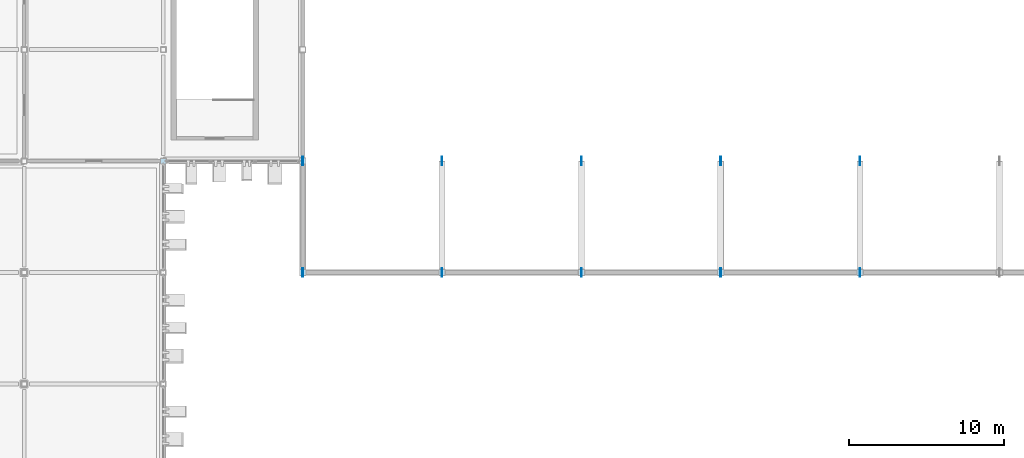
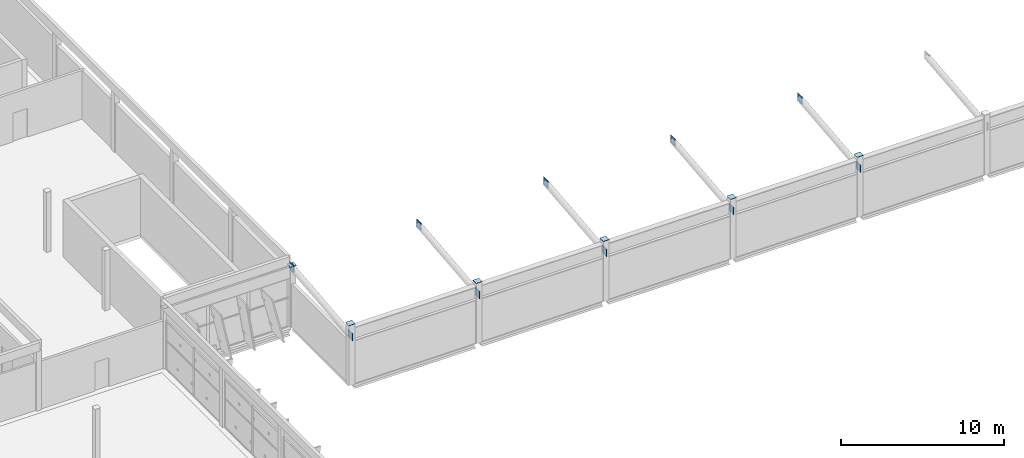
# One storey, part 93 of 124: 17 plates.
"""IFC4 building model written with IfcOpenShell, lengths in metres."""

import ifcopenshell
import ifcopenshell.guid

model = None  # the IFC model being written
_history = None  # IfcOwnerHistory: only IFC2X3 demands one
_inside = {}  # id of a spatial element -> (the spatial element, [elements in it])
_under = {}  # id of a project, library or spatial element -> (it, [spatial elements below it])
_declared = {}  # id of a project -> (the project, [libraries it declares])
_typed = {}  # id of a type object -> (the type object, [elements of that type])
_made_of = {}  # id of a material, layer set ... -> (it, [elements and type objects made of it])


def new_model(schema):
    """Start an empty IFC model of exactly this schema.

    Asked for "IFC4X3", IfcOpenShell would pick the latest addendum, in which some entities
    have other attributes; the version numbers below select the first issue.
    IFC2X3 requires an IfcOwnerHistory on every rooted entity: one is made here for all.
    """
    global model, _history
    if schema == "IFC4X3":
        model = ifcopenshell.file(schema_version=(4, 3, 0, 0))
    else:
        model = ifcopenshell.file(schema=schema)
    _inside.clear()
    _under.clear()
    _declared.clear()
    _typed.clear()
    _made_of.clear()
    _history = None
    if model.schema == "IFC2X3":
        org = make("IfcOrganization", Name="unknown")
        user = make(
            "IfcPersonAndOrganization",
            ThePerson=make("IfcPerson", FamilyName="unknown"),
            TheOrganization=org,
        )
        app = make(
            "IfcApplication",
            ApplicationDeveloper=org,
            Version="unknown",
            ApplicationFullName="unknown",
            ApplicationIdentifier="unknown",
        )
        _history = make(
            "IfcOwnerHistory",
            OwningUser=user,
            OwningApplication=app,
            ChangeAction="ADDED",
            CreationDate=0,
        )
    return model


def make(cls, **values):
    """One entity of the class cls with the attributes given. An attribute that is None is left unset."""
    return model.create_entity(
        cls, **{name: value for name, value in values.items() if value is not None}
    )


def rooted(cls, **values):
    """An entity with a GlobalId (a new one), such as an element, a storey or a relation."""
    return make(cls, GlobalId=ifcopenshell.guid.new(), OwnerHistory=_history, **values)


def si_unit(unit_type, name, prefix=None):
    """IfcSIUnit, for example si_unit("LENGTHUNIT", "METRE", prefix="MILLI")."""
    return make("IfcSIUnit", UnitType=unit_type, Prefix=prefix, Name=name)


def assignment(units):
    """IfcUnitAssignment: the units of a project."""
    return None if units is None else make("IfcUnitAssignment", Units=units)


def point(xyz):
    """IfcCartesianPoint."""
    return None if xyz is None else make("IfcCartesianPoint", Coordinates=xyz)


def direction(xyz):
    """IfcDirection."""
    return None if xyz is None else make("IfcDirection", DirectionRatios=xyz)


def frame(location, z_axis=None, x_axis=None):
    """IfcAxis2Placement3D, a coordinate frame: its origin and axes. An axis left out is left unset."""
    return make(
        "IfcAxis2Placement3D",
        Location=point(location),
        Axis=direction(z_axis),
        RefDirection=direction(x_axis),
    )


def frame_2d(location, x_axis=None):
    """IfcAxis2Placement2D, a coordinate frame in the plane: its origin and x axis."""
    return make(
        "IfcAxis2Placement2D", Location=point(location), RefDirection=direction(x_axis)
    )


def origin():
    """The frame at (0, 0, 0) with its axes left unset."""
    return frame((0.0, 0.0, 0.0))


def origin_2d():
    """The frame at (0, 0) in the plane with its x axis left unset."""
    return frame_2d((0.0, 0.0))


def place(relative_to, where):
    """IfcLocalPlacement: puts the frame where relative to a parent placement (None: the world)."""
    return make(
        "IfcLocalPlacement", PlacementRelTo=relative_to, RelativePlacement=where
    )


def context(
    kind, dimensions, precision=None, world=None, true_north=None, identifier=None
):
    """IfcGeometricRepresentationContext, for example the 3D "Model" context."""
    return make(
        "IfcGeometricRepresentationContext",
        ContextIdentifier=identifier,
        ContextType=kind,
        CoordinateSpaceDimension=dimensions,
        Precision=precision,
        WorldCoordinateSystem=world,
        TrueNorth=true_north,
    )


def subcontext(parent, identifier, kind, view, scale=None):
    """IfcGeometricRepresentationSubContext, for example "Body" below "Model"."""
    return make(
        "IfcGeometricRepresentationSubContext",
        ContextIdentifier=identifier,
        ContextType=kind,
        ParentContext=parent,
        TargetScale=scale,
        TargetView=view,
    )


def project(units=None, contexts=None):
    """IfcProject with its units and contexts."""
    return rooted(
        "IfcProject",
        Name="project",
        RepresentationContexts=contexts,
        UnitsInContext=assignment(units),
    )


def spatial(cls, under=None, at=None, **own):
    """A site, building, storey or space (cls), placed at a placement, below another one or the project."""
    s = rooted(cls, ObjectPlacement=at, **own)
    if under is not None:
        _under.setdefault(under.id(), (under, []))[1].append(s)
    return s


def profile(cls, at=None, kind="AREA", **sizes):
    """A parametric profile (cls). Its sizes go by their IFC names, for example OverallWidth=200.0."""
    return make(cls, ProfileType=kind, Position=at, **sizes)


def rectangle(**sizes):
    """IfcRectangleProfileDef."""
    return profile("IfcRectangleProfileDef", **sizes)


def extrude(swept, where, along, depth):
    """IfcExtrudedAreaSolid: the profile swept, set in the frame where, extruded along a direction by depth."""
    return make(
        "IfcExtrudedAreaSolid",
        SweptArea=swept,
        Position=where,
        ExtrudedDirection=direction(along),
        Depth=depth,
    )


def shape(context_of_items, identifier, shape_type, items):
    """IfcShapeRepresentation: the items that make up one representation, for example the "Body"."""
    return make(
        "IfcShapeRepresentation",
        ContextOfItems=context_of_items,
        RepresentationIdentifier=identifier,
        RepresentationType=shape_type,
        Items=items,
    )


def material(Name=None, Category=None):
    """IfcMaterial."""
    return make("IfcMaterial", Name=Name, Category=Category)


def layer(
    of_material, thickness, ventilated=None, Name=None, Category=None, Priority=None
):
    """IfcMaterialLayer: one layer of a wall or slab, of a material (None: an air gap)."""
    return make(
        "IfcMaterialLayer",
        Material=of_material,
        LayerThickness=thickness,
        IsVentilated=ventilated,
        Name=Name,
        Category=Category,
        Priority=Priority,
    )


def layer_set(layers, Name=None):
    """IfcMaterialLayerSet."""
    return make("IfcMaterialLayerSet", MaterialLayers=layers, LayerSetName=Name)


def made_of(thing, what):
    """Note that an element or type object is made of a material, layer set ...; save() writes the relation."""
    if what is not None:
        _made_of.setdefault(what.id(), (what, []))[1].append(thing)
    return thing


def type_object(cls, material=None, **own):
    """A type object (cls), such as IfcWallType, which elements share."""
    return made_of(rooted(cls, **own), material)


def element(
    cls,
    number,
    at=None,
    inside=None,
    cuts=None,
    type_object=None,
    material=None,
    context=None,
    identifier="Body",
    shape_type=None,
    held_by="IfcProductDefinitionShape",
    body=None,
    shapes=None,
    **own,
):
    """One element of the class cls, such as IfcWall. Its Tag is "e" and its number.

    at: its placement. inside: the storey or other place that contains it. cuts: it is an
    opening in that element (IfcRelVoidsElement). A single representation is given by context,
    identifier, shape_type and body (its items); several are given by shapes. held_by: the class
    of the entity that holds the representations. save() writes the other relations.
    """
    e = rooted(cls, Tag="e%d" % number, ObjectPlacement=at, **own)
    if body is not None:
        shapes = [shape(context, identifier, shape_type, body)]
    if shapes is not None:
        e.Representation = make(held_by, Representations=shapes)
    if inside is not None:
        _inside.setdefault(inside.id(), (inside, []))[1].append(e)
    if cuts is not None:
        rooted(
            "IfcRelVoidsElement", RelatingBuildingElement=cuts, RelatedOpeningElement=e
        )
    if type_object is not None:
        _typed.setdefault(type_object.id(), (type_object, []))[1].append(e)
    return made_of(e, material)


def aggregate(whole, parts):
    """IfcRelAggregates: a whole, such as a stair, and the parts it consists of."""
    return rooted("IfcRelAggregates", RelatingObject=whole, RelatedObjects=parts)


def save(model, path):
    """Write the relations noted so far, then the file.

    IfcRelAggregates (storeys below a building ...), IfcRelContainedInSpatialStructure (elements
    in a storey), IfcRelDefinesByType, IfcRelAssociatesMaterial and IfcRelDeclares: one each for
    every whole, place, type object, material and project.
    """
    for whole, parts in _under.values():
        aggregate(whole, parts)
    for where, things in _inside.values():
        rooted(
            "IfcRelContainedInSpatialStructure",
            RelatedElements=things,
            RelatingStructure=where,
        )
    for kind, things in _typed.values():
        rooted("IfcRelDefinesByType", RelatedObjects=things, RelatingType=kind)
    for what, things in _made_of.values():
        rooted("IfcRelAssociatesMaterial", RelatedObjects=things, RelatingMaterial=what)
    for by, libraries in _declared.values():
        rooted("IfcRelDeclares", RelatingContext=by, RelatedDefinitions=libraries)
    model.write(path)


model = new_model("IFC4")

# Units and contexts
model_context = context("Model", 3, precision=1e-05, world=origin(), true_north=direction((0.0, 1.0)))
body_context = subcontext(model_context, "Body", "Model", "MODEL_VIEW")
ifc_project = project(units=[si_unit("LENGTHUNIT", "METRE"), si_unit("AREAUNIT", "SQUARE_METRE"), si_unit("VOLUMEUNIT", "CUBIC_METRE"), si_unit("PLANEANGLEUNIT", "RADIAN"), si_unit("MASSUNIT", "GRAM", prefix="KILO")], contexts=[model_context])

# Site, building, storey
site_placement = place(None, origin())
site = spatial("IfcSite", under=ifc_project, at=site_placement, CompositionType="ELEMENT")
building_placement = place(site_placement, origin())
building = spatial("IfcBuilding", under=site, at=building_placement, Name="Celestram Park Convention Centre", CompositionType="ELEMENT")
storey_placement = place(building_placement, frame((0.0, 0.0, 15.300048828125)))
storey = spatial("IfcBuildingStorey", under=building, at=storey_placement, Name="L03", CompositionType="ELEMENT", Elevation=15.300048828125)

# Plates
ifc_material = material(Name="Steel ASTM A572 Grade 50", Category="steel")
ifc_layer_1 = layer(ifc_material, 0.02490234375)
ifc_layer_set_1 = layer_set([ifc_layer_1], Name="Steel ASTM A572 Grade 50")
plate_type_1 = type_object("IfcPlateType", Name="STR-PLT-EC350", PredefinedType="USERDEFINED", material=ifc_layer_set_1)
plate_placement = place(storey_placement, frame((144.0, 122.39990234375, 4.49951171875), z_axis=(0.0, 0.0, 1.0), x_axis=(1.0, 0.0, 0.0)))
element("IfcPlate", 1, at=plate_placement, inside=storey, type_object=plate_type_1, Name="HSS column end closure cap plate EC-L03-114", ObjectType="GUSSET_PLATE", PredefinedType="USERDEFINED", context=body_context, shape_type="SweptSolid", body=[
    extrude(rectangle(XDim=0.3701171875, YDim=0.3701171875, at=origin_2d()), origin(), (0.0, 0.0, 1.0), 0.02490234375),
])
ifc_layer_2 = layer(ifc_material, 0.02490234375)
ifc_layer_set_2 = layer_set([ifc_layer_2], Name="Steel ASTM A572 Grade 50")
plate_type_2 = type_object("IfcPlateType", Name="STR-PLT-EC400", PredefinedType="USERDEFINED", material=ifc_layer_set_2)
for number, where, z_axis, x_axis, name in (
    (2, (153.0, 115.199951171875, 4.49951171875), (0.0, 0.0, 1.0), (1.0, 0.0, 0.0), "HSS column end closure cap plate EC-L03-122"),
    (3, (153.0, 122.39990234375, 4.49951171875), (0.0, 0.0, 1.0), (1.0, 0.0, 0.0), "HSS column end closure cap plate EC-L03-124"),
    (4, (162.0, 115.199951171875, 4.49951171875), (0.0, 0.0, 1.0), (1.0, 0.0, 0.0), "HSS column end closure cap plate EC-L03-138"),
    (5, (171.0, 115.199951171875, 4.49951171875), (0.0, 0.0, 1.0), (1.0, 0.0, 0.0), "HSS column end closure cap plate EC-L03-142"),
    (6, (180.0, 115.199951171875, 4.49951171875), (0.0, 0.0, 1.0), (1.0, 0.0, 0.0), "HSS column end closure cap plate EC-L03-146"),
    (7, (189.0, 115.199951171875, 4.49951171875), (0.0, 0.0, 1.0), (1.0, 0.0, 0.0), "HSS column end closure cap plate EC-L03-150"),
):
    element("IfcPlate", number, at=place(storey_placement, frame(where, z_axis=z_axis, x_axis=x_axis)), inside=storey, type_object=plate_type_2, Name=name, ObjectType="GUSSET_PLATE", PredefinedType="USERDEFINED", context=body_context, shape_type="SweptSolid", body=[
        extrude(rectangle(XDim=0.429931640625, YDim=0.429931640625, at=origin_2d()), origin(), (0.0, 0.0, 1.0), 0.02490234375),
    ])
ifc_layer_3 = layer(ifc_material, 0.0400390625)
ifc_layer_set_3 = layer_set([ifc_layer_3], Name="Steel ASTM A572 Grade 50")
plate_type_3 = type_object("IfcPlateType", Name="STR-PLT-GP40", PredefinedType="USERDEFINED", material=ifc_layer_set_3)
for number, where, z_axis, x_axis, name in (
    (8, (153.0, 115.199951171875, 3.3388671875), (0.0, 0.0, 1.0), (0.0, 1.0, 0.0), "V2 truss node gusset plate"),
    (9, (153.0, 122.39990234375, 4.083984375), (0.0, 0.0, 1.0), (0.0, 1.0, 0.0), "V2 truss node gusset plate"),
    (10, (162.0, 115.199951171875, 3.3388671875), (0.0, 0.0, 1.0), (0.0, 1.0, 0.0), "V2 truss node gusset plate"),
    (11, (162.0, 122.39990234375, 4.083984375), (0.0, 0.0, 1.0), (0.0, 1.0, 0.0), "V2 truss node gusset plate"),
    (12, (171.0, 115.199951171875, 3.3388671875), (0.0, 0.0, 1.0), (0.0, 1.0, 0.0), "V2 truss node gusset plate"),
    (13, (171.0, 122.39990234375, 4.083984375), (0.0, 0.0, 1.0), (0.0, 1.0, 0.0), "V2 truss node gusset plate"),
    (14, (180.0, 115.199951171875, 3.3388671875), (0.0, 0.0, 1.0), (0.0, 1.0, 0.0), "V2 truss node gusset plate"),
    (15, (180.0, 122.39990234375, 4.083984375), (0.0, 0.0, 1.0), (0.0, 1.0, 0.0), "V2 truss node gusset plate"),
    (16, (189.0, 115.199951171875, 3.3388671875), (0.0, 0.0, 1.0), (0.0, 1.0, 0.0), "V2 truss node gusset plate"),
    (17, (189.0, 122.39990234375, 4.083984375), (0.0, 0.0, 1.0), (0.0, 1.0, 0.0), "V2 truss node gusset plate"),
):
    element("IfcPlate", number, at=place(storey_placement, frame(where, z_axis=z_axis, x_axis=x_axis)), inside=storey, type_object=plate_type_3, Name=name, ObjectType="GUSSET_PLATE", PredefinedType="USERDEFINED", context=body_context, shape_type="SweptSolid", body=[
        extrude(rectangle(XDim=0.550048828125, YDim=0.0400390625, at=origin_2d()), origin(), (0.0, 0.0, 1.0), 0.550048828125),
    ])

save(model, "model.ifc")
